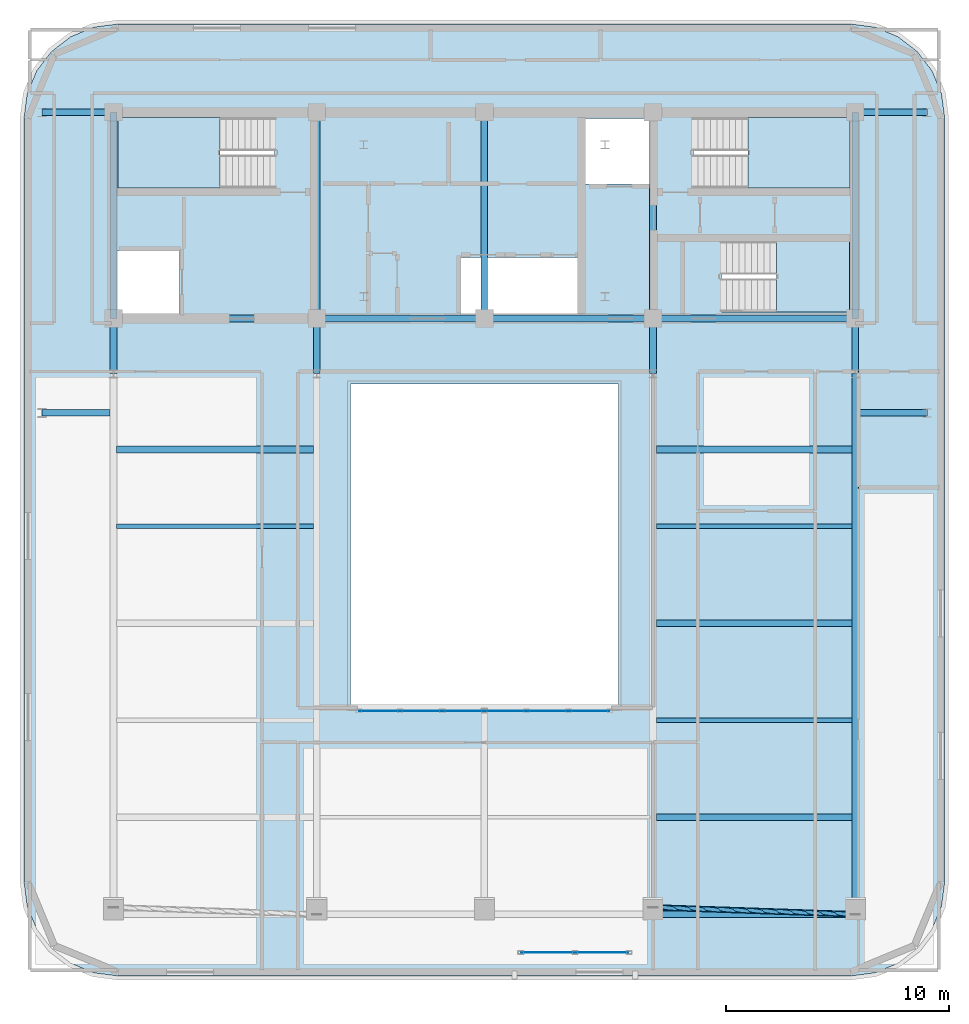
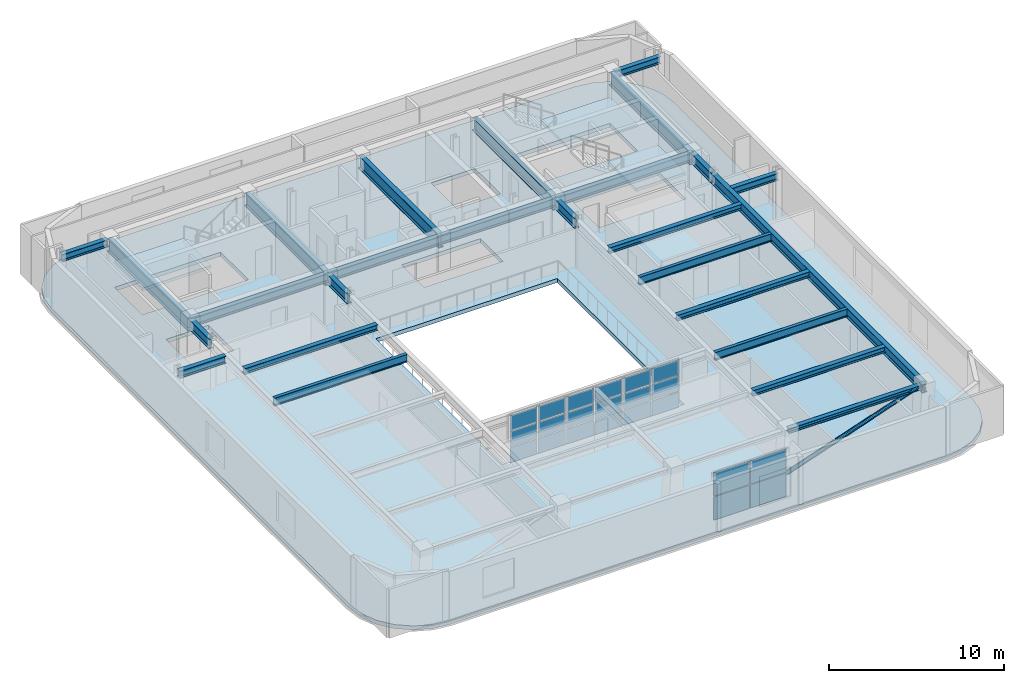
# One storey, part 4 of 12: 26 beams, 22 plates, 4 slabs, 1 member, 5 elements without a shape of their own.
"""IFC4 building model written with IfcOpenShell, lengths in metres."""

import ifcopenshell
import ifcopenshell.guid

model = None  # the IFC model being written
_history = None  # IfcOwnerHistory: only IFC2X3 demands one
_inside = {}  # id of a spatial element -> (the spatial element, [elements in it])
_under = {}  # id of a project, library or spatial element -> (it, [spatial elements below it])
_declared = {}  # id of a project -> (the project, [libraries it declares])
_typed = {}  # id of a type object -> (the type object, [elements of that type])
_made_of = {}  # id of a material, layer set ... -> (it, [elements and type objects made of it])


def new_model(schema):
    """Start an empty IFC model of exactly this schema.

    Asked for "IFC4X3", IfcOpenShell would pick the latest addendum, in which some entities
    have other attributes; the version numbers below select the first issue.
    IFC2X3 requires an IfcOwnerHistory on every rooted entity: one is made here for all.
    """
    global model, _history
    if schema == "IFC4X3":
        model = ifcopenshell.file(schema_version=(4, 3, 0, 0))
    else:
        model = ifcopenshell.file(schema=schema)
    _inside.clear()
    _under.clear()
    _declared.clear()
    _typed.clear()
    _made_of.clear()
    _history = None
    if model.schema == "IFC2X3":
        org = make("IfcOrganization", Name="unknown")
        user = make(
            "IfcPersonAndOrganization",
            ThePerson=make("IfcPerson", FamilyName="unknown"),
            TheOrganization=org,
        )
        app = make(
            "IfcApplication",
            ApplicationDeveloper=org,
            Version="unknown",
            ApplicationFullName="unknown",
            ApplicationIdentifier="unknown",
        )
        _history = make(
            "IfcOwnerHistory",
            OwningUser=user,
            OwningApplication=app,
            ChangeAction="ADDED",
            CreationDate=0,
        )
    return model


def make(cls, **values):
    """One entity of the class cls with the attributes given. An attribute that is None is left unset."""
    return model.create_entity(
        cls, **{name: value for name, value in values.items() if value is not None}
    )


def rooted(cls, **values):
    """An entity with a GlobalId (a new one), such as an element, a storey or a relation."""
    return make(cls, GlobalId=ifcopenshell.guid.new(), OwnerHistory=_history, **values)


def si_unit(unit_type, name, prefix=None):
    """IfcSIUnit, for example si_unit("LENGTHUNIT", "METRE", prefix="MILLI")."""
    return make("IfcSIUnit", UnitType=unit_type, Prefix=prefix, Name=name)


def assignment(units):
    """IfcUnitAssignment: the units of a project."""
    return None if units is None else make("IfcUnitAssignment", Units=units)


def point(xyz):
    """IfcCartesianPoint."""
    return None if xyz is None else make("IfcCartesianPoint", Coordinates=xyz)


def direction(xyz):
    """IfcDirection."""
    return None if xyz is None else make("IfcDirection", DirectionRatios=xyz)


def frame(location, z_axis=None, x_axis=None):
    """IfcAxis2Placement3D, a coordinate frame: its origin and axes. An axis left out is left unset."""
    return make(
        "IfcAxis2Placement3D",
        Location=point(location),
        Axis=direction(z_axis),
        RefDirection=direction(x_axis),
    )


def frame_2d(location, x_axis=None):
    """IfcAxis2Placement2D, a coordinate frame in the plane: its origin and x axis."""
    return make(
        "IfcAxis2Placement2D", Location=point(location), RefDirection=direction(x_axis)
    )


def origin():
    """The frame at (0, 0, 0) with its axes left unset."""
    return frame((0.0, 0.0, 0.0))


def origin_2d():
    """The frame at (0, 0) in the plane with its x axis left unset."""
    return frame_2d((0.0, 0.0))


def place(relative_to, where):
    """IfcLocalPlacement: puts the frame where relative to a parent placement (None: the world)."""
    return make(
        "IfcLocalPlacement", PlacementRelTo=relative_to, RelativePlacement=where
    )


def context(
    kind, dimensions, precision=None, world=None, true_north=None, identifier=None
):
    """IfcGeometricRepresentationContext, for example the 3D "Model" context."""
    return make(
        "IfcGeometricRepresentationContext",
        ContextIdentifier=identifier,
        ContextType=kind,
        CoordinateSpaceDimension=dimensions,
        Precision=precision,
        WorldCoordinateSystem=world,
        TrueNorth=true_north,
    )


def subcontext(parent, identifier, kind, view, scale=None):
    """IfcGeometricRepresentationSubContext, for example "Body" below "Model"."""
    return make(
        "IfcGeometricRepresentationSubContext",
        ContextIdentifier=identifier,
        ContextType=kind,
        ParentContext=parent,
        TargetScale=scale,
        TargetView=view,
    )


def project(units=None, contexts=None):
    """IfcProject with its units and contexts."""
    return rooted(
        "IfcProject",
        Name="project",
        RepresentationContexts=contexts,
        UnitsInContext=assignment(units),
    )


def spatial(cls, under=None, at=None, **own):
    """A site, building, storey or space (cls), placed at a placement, below another one or the project."""
    s = rooted(cls, ObjectPlacement=at, **own)
    if under is not None:
        _under.setdefault(under.id(), (under, []))[1].append(s)
    return s


def polyline(points):
    """IfcPolyline through the points."""
    return make("IfcPolyline", Points=[point(p) for p in points])


def profile(cls, at=None, kind="AREA", **sizes):
    """A parametric profile (cls). Its sizes go by their IFC names, for example OverallWidth=200.0."""
    return make(cls, ProfileType=kind, Position=at, **sizes)


def rectangle(**sizes):
    """IfcRectangleProfileDef."""
    return profile("IfcRectangleProfileDef", **sizes)


def hollow_circle(**sizes):
    """IfcCircleHollowProfileDef."""
    return profile("IfcCircleHollowProfileDef", **sizes)


def i_section(**sizes):
    """IfcIShapeProfileDef."""
    return profile("IfcIShapeProfileDef", **sizes)


def outline(outer, holes=None, kind="AREA"):
    """IfcArbitraryClosedProfileDef: a profile drawn as a closed curve; with holes, ...WithVoids."""
    if holes is None:
        return make("IfcArbitraryClosedProfileDef", ProfileType=kind, OuterCurve=outer)
    return make(
        "IfcArbitraryProfileDefWithVoids",
        ProfileType=kind,
        OuterCurve=outer,
        InnerCurves=holes,
    )


def extrude(swept, where, along, depth):
    """IfcExtrudedAreaSolid: the profile swept, set in the frame where, extruded along a direction by depth."""
    return make(
        "IfcExtrudedAreaSolid",
        SweptArea=swept,
        Position=where,
        ExtrudedDirection=direction(along),
        Depth=depth,
    )


def shape(context_of_items, identifier, shape_type, items):
    """IfcShapeRepresentation: the items that make up one representation, for example the "Body"."""
    return make(
        "IfcShapeRepresentation",
        ContextOfItems=context_of_items,
        RepresentationIdentifier=identifier,
        RepresentationType=shape_type,
        Items=items,
    )


def material(Name=None, Category=None):
    """IfcMaterial."""
    return make("IfcMaterial", Name=Name, Category=Category)


def layer(
    of_material, thickness, ventilated=None, Name=None, Category=None, Priority=None
):
    """IfcMaterialLayer: one layer of a wall or slab, of a material (None: an air gap)."""
    return make(
        "IfcMaterialLayer",
        Material=of_material,
        LayerThickness=thickness,
        IsVentilated=ventilated,
        Name=Name,
        Category=Category,
        Priority=Priority,
    )


def layer_set(layers, Name=None):
    """IfcMaterialLayerSet."""
    return make("IfcMaterialLayerSet", MaterialLayers=layers, LayerSetName=Name)


def material_profile(
    of_material, cross_section, Name=None, Category=None, Priority=None
):
    """IfcMaterialProfile: a cross section and its material."""
    return make(
        "IfcMaterialProfile",
        Name=Name,
        Material=of_material,
        Profile=cross_section,
        Priority=Priority,
        Category=Category,
    )


def profile_set(profiles, Name=None, composite=None):
    """IfcMaterialProfileSet."""
    return make(
        "IfcMaterialProfileSet",
        Name=Name,
        MaterialProfiles=profiles,
        CompositeProfile=composite,
    )


def made_of(thing, what):
    """Note that an element or type object is made of a material, layer set ...; save() writes the relation."""
    if what is not None:
        _made_of.setdefault(what.id(), (what, []))[1].append(thing)
    return thing


def type_object(cls, material=None, **own):
    """A type object (cls), such as IfcWallType, which elements share."""
    return made_of(rooted(cls, **own), material)


def element(
    cls,
    number,
    at=None,
    inside=None,
    cuts=None,
    type_object=None,
    material=None,
    context=None,
    identifier="Body",
    shape_type=None,
    held_by="IfcProductDefinitionShape",
    body=None,
    shapes=None,
    **own,
):
    """One element of the class cls, such as IfcWall. Its Tag is "e" and its number.

    at: its placement. inside: the storey or other place that contains it. cuts: it is an
    opening in that element (IfcRelVoidsElement). A single representation is given by context,
    identifier, shape_type and body (its items); several are given by shapes. held_by: the class
    of the entity that holds the representations. save() writes the other relations.
    """
    e = rooted(cls, Tag="e%d" % number, ObjectPlacement=at, **own)
    if body is not None:
        shapes = [shape(context, identifier, shape_type, body)]
    if shapes is not None:
        e.Representation = make(held_by, Representations=shapes)
    if inside is not None:
        _inside.setdefault(inside.id(), (inside, []))[1].append(e)
    if cuts is not None:
        rooted(
            "IfcRelVoidsElement", RelatingBuildingElement=cuts, RelatedOpeningElement=e
        )
    if type_object is not None:
        _typed.setdefault(type_object.id(), (type_object, []))[1].append(e)
    return made_of(e, material)


def aggregate(whole, parts):
    """IfcRelAggregates: a whole, such as a stair, and the parts it consists of."""
    return rooted("IfcRelAggregates", RelatingObject=whole, RelatedObjects=parts)


def save(model, path):
    """Write the relations noted so far, then the file.

    IfcRelAggregates (storeys below a building ...), IfcRelContainedInSpatialStructure (elements
    in a storey), IfcRelDefinesByType, IfcRelAssociatesMaterial and IfcRelDeclares: one each for
    every whole, place, type object, material and project.
    """
    for whole, parts in _under.values():
        aggregate(whole, parts)
    for where, things in _inside.values():
        rooted(
            "IfcRelContainedInSpatialStructure",
            RelatedElements=things,
            RelatingStructure=where,
        )
    for kind, things in _typed.values():
        rooted("IfcRelDefinesByType", RelatedObjects=things, RelatingType=kind)
    for what, things in _made_of.values():
        rooted("IfcRelAssociatesMaterial", RelatedObjects=things, RelatingMaterial=what)
    for by, libraries in _declared.values():
        rooted("IfcRelDeclares", RelatingContext=by, RelatedDefinitions=libraries)
    model.write(path)


model = new_model("IFC4")

# Units and contexts
model_context = context("Model", 3, precision=1e-05, world=origin(), true_north=direction((0.0, 1.0)))
body_context = subcontext(model_context, "Body", "Model", "MODEL_VIEW")
ifc_project = project(units=[si_unit("LENGTHUNIT", "METRE"), si_unit("AREAUNIT", "SQUARE_METRE"), si_unit("VOLUMEUNIT", "CUBIC_METRE"), si_unit("PLANEANGLEUNIT", "RADIAN"), si_unit("MASSUNIT", "GRAM", prefix="KILO")], contexts=[model_context])

# Site, building, storey
site_placement = place(None, origin())
site = spatial("IfcSite", under=ifc_project, at=site_placement, CompositionType="ELEMENT")
building_placement = place(site_placement, origin())
building = spatial("IfcBuilding", under=site, at=building_placement, Name="Zarnavel Station Tower", CompositionType="ELEMENT")
storey_placement = place(building_placement, frame((0.0, 0.0, 273.199951171875)))
storey = spatial("IfcBuildingStorey", under=building, at=storey_placement, Name="L74", CompositionType="ELEMENT", Elevation=273.199951171875)

# Member
ifc_material_1 = material(Name="Steel S355J2", Category="steel")
ifc_material_profile_1 = material_profile(ifc_material_1, hollow_circle(Radius=0.122314453125, WallThickness=0.010009765625, at=origin_2d()), Name="CHS244.5x10")
ifc_profile_set_1 = profile_set([ifc_material_profile_1], Name="Steel S355J2")
member_type = type_object("IfcMemberType", Name="DB_EXT_CHS245", PredefinedType="BRACE", material=ifc_profile_set_1)
member_placement = place(storey_placement, frame((36.35009765625, 1.470703125, 0.0), z_axis=(0.934945887527, -0.032032515301, 0.353341343972), x_axis=(0.034241266505, 0.999413595899, 0.0)))
element("IfcMember", 1, at=member_placement, inside=storey, type_object=member_type, Name="L74 Persian Exterior Diagonal Frame Brace 2", PredefinedType="BRACE", context=body_context, shape_type="SweptSolid", body=[
    extrude(hollow_circle(Radius=0.122314453125, WallThickness=0.010009765625, at=origin_2d()), origin(), (0.0, 0.0, 1.0), 9.679443359375),
])

# Beams
ifc_material_2 = material(Name="Steel S355J2", Category="steel")
ifc_material_profile_2 = material_profile(ifc_material_2, i_section(OverallWidth=0.300048828125, OverallDepth=0.320068359375, WebThickness=0.011474609375, FlangeThickness=0.0205078125, FilletRadius=0.027099609375, at=origin_2d()), Name="HEB320")
ifc_profile_set_2 = profile_set([ifc_material_profile_2], Name="Steel S355J2")
beam_type_1 = type_object("IfcBeamType", Name="EB_HEB320", PredefinedType="SPANDREL", material=ifc_profile_set_2)
beam_1_placement = place(storey_placement, frame((36.35009765625, 1.16064453125, 3.260009765625), z_axis=(1.0, 0.0, 0.0), x_axis=(0.0, 1.0, 0.0)))
element("IfcBeam", 2, at=beam_1_placement, inside=storey, type_object=beam_type_1, Name="L74 South Raked Spandrel 4", PredefinedType="SPANDREL", context=body_context, shape_type="SweptSolid", body=[
    extrude(i_section(OverallWidth=0.300048828125, OverallDepth=0.320068359375, WebThickness=0.011474609375, FlangeThickness=0.0205078125, FilletRadius=0.027099609375, at=origin_2d()), origin(), (0.0, 0.0, 1.0), 9.0498046875),
])
ifc_material_3 = material(Name="Steel S355J2", Category="steel")
ifc_material_profile_3 = material_profile(ifc_material_3, i_section(OverallWidth=0.300048828125, OverallDepth=0.389892578125, WebThickness=0.010986328125, FlangeThickness=0.01904296875, FilletRadius=0.027099609375, at=origin_2d()), Name="HEA400")
ifc_profile_set_3 = profile_set([ifc_material_profile_3], Name="Steel S355J2")
beam_type_2 = type_object("IfcBeamType", Name="FB_HEA400", PredefinedType="BEAM", material=ifc_profile_set_3)
for number, where, z_axis, x_axis, name in (
    (3, (36.4951171875, 5.50048828125, 3.22509765625), (1.0, 0.0, 0.0), (0.0, 1.0, 0.0), "L74 East Bay Beam 1"),
    (4, (36.4951171875, 14.180419921875, 3.22509765625), (1.0, 0.0, 0.0), (0.0, 1.0, 0.0), "L74 East Bay Beam 3"),
):
    element("IfcBeam", number, at=place(storey_placement, frame(where, z_axis=z_axis, x_axis=x_axis)), inside=storey, type_object=beam_type_2, Name=name, PredefinedType="BEAM", context=body_context, shape_type="SweptSolid", body=[
        extrude(i_section(OverallWidth=0.300048828125, OverallDepth=0.389892578125, WebThickness=0.010986328125, FlangeThickness=0.01904296875, FilletRadius=0.027099609375, at=origin_2d()), origin(), (0.0, 0.0, 1.0), 8.759765625),
    ])
beam_2_placement = place(storey_placement, frame((12.344970703125, 21.960205078125, 3.22509765625), z_axis=(1.0, 0.0, 0.0), x_axis=(0.0, 1.0, 0.0)))
element("IfcBeam", 5, at=beam_2_placement, inside=storey, type_object=beam_type_2, Name="L74 West Bay Beam 5", PredefinedType="BEAM", context=body_context, shape_type="SweptSolid", body=[
    extrude(i_section(OverallWidth=0.300048828125, OverallDepth=0.389892578125, WebThickness=0.010986328125, FlangeThickness=0.01904296875, FilletRadius=0.027099609375, at=origin_2d()), origin(), (0.0, 0.0, 1.0), 8.81005859375),
])
beam_3_placement = place(storey_placement, frame((36.4951171875, 21.960205078125, 3.22509765625), z_axis=(1.0, 0.0, 0.0), x_axis=(0.0, 1.0, 0.0)))
element("IfcBeam", 6, at=beam_3_placement, inside=storey, type_object=beam_type_2, Name="L74 East Bay Beam 5", PredefinedType="BEAM", context=body_context, shape_type="SweptSolid", body=[
    extrude(i_section(OverallWidth=0.300048828125, OverallDepth=0.389892578125, WebThickness=0.010986328125, FlangeThickness=0.01904296875, FilletRadius=0.027099609375, at=origin_2d()), origin(), (0.0, 0.0, 1.0), 8.759765625),
])
ifc_material_4 = material(Name="Steel S355J2", Category="steel")
ifc_material_profile_4 = material_profile(ifc_material_4, i_section(OverallWidth=0.2099609375, OverallDepth=0.550048828125, WebThickness=0.010986328125, FlangeThickness=0.01708984375, FilletRadius=0.02392578125, at=origin_2d()), Name="IPE550")
ifc_profile_set_4 = profile_set([ifc_material_profile_4], Name="Steel S355J2")
beam_type_3 = type_object("IfcBeamType", Name="FB_IPE550", PredefinedType="BEAM", material=ifc_profile_set_4)
beam_4_placement = place(storey_placement, frame((36.4951171875, 9.840576171875, 3.14501953125), z_axis=(1.0, 0.0, 0.0), x_axis=(0.0, 1.0, 0.0)))
element("IfcBeam", 7, at=beam_4_placement, inside=storey, type_object=beam_type_3, Name="L74 East Bay Beam 2", PredefinedType="BEAM", context=body_context, shape_type="SweptSolid", body=[
    extrude(i_section(OverallWidth=0.2099609375, OverallDepth=0.550048828125, WebThickness=0.010986328125, FlangeThickness=0.01708984375, FilletRadius=0.02392578125, at=origin_2d()), origin(), (0.0, 0.0, 1.0), 8.759765625),
])
beam_5_placement = place(storey_placement, frame((12.344970703125, 18.520263671875, 3.14501953125), z_axis=(1.0, 0.0, 0.0), x_axis=(0.0, 1.0, 0.0)))
element("IfcBeam", 8, at=beam_5_placement, inside=storey, type_object=beam_type_3, Name="L74 West Bay Beam 4", PredefinedType="BEAM", context=body_context, shape_type="SweptSolid", body=[
    extrude(i_section(OverallWidth=0.2099609375, OverallDepth=0.550048828125, WebThickness=0.010986328125, FlangeThickness=0.01708984375, FilletRadius=0.02392578125, at=origin_2d()), origin(), (0.0, 0.0, 1.0), 8.81005859375),
])
beam_6_placement = place(storey_placement, frame((36.4951171875, 18.520263671875, 3.14501953125), z_axis=(1.0, 0.0, 0.0), x_axis=(0.0, 1.0, 0.0)))
element("IfcBeam", 9, at=beam_6_placement, inside=storey, type_object=beam_type_3, Name="L74 East Bay Beam 4", PredefinedType="BEAM", context=body_context, shape_type="SweptSolid", body=[
    extrude(i_section(OverallWidth=0.2099609375, OverallDepth=0.550048828125, WebThickness=0.010986328125, FlangeThickness=0.01708984375, FilletRadius=0.02392578125, at=origin_2d()), origin(), (0.0, 0.0, 1.0), 8.759765625),
])
ifc_material_5 = material(Name="Steel S355J2", Category="steel")
ifc_material_profile_5 = material_profile(ifc_material_5, i_section(OverallWidth=0.300048828125, OverallDepth=0.5, WebThickness=0.014404296875, FlangeThickness=0.028076171875, FilletRadius=0.027099609375, at=origin_2d()), Name="HEB500")
ifc_profile_set_5 = profile_set([ifc_material_profile_5], Name="Steel S355J2")
beam_type_4 = type_object("IfcBeamType", Name="FG_HEB500", PredefinedType="USERDEFINED", material=ifc_profile_set_5)
for number, where, z_axis, x_axis, name in (
    (10, (9.0, 23.60009765625, 3.170166015625), (1.0, 0.0, 0.0), (0.0, 1.0, 0.0), "L74 West Wing South Tie 1"),
    (11, (9.0, 37.050048828125, 3.170166015625), (1.0, 0.0, 0.0), (0.0, 1.0, 0.0), "L74 West Wing North Tie 1"),
):
    element("IfcBeam", number, at=place(storey_placement, frame(where, z_axis=z_axis, x_axis=x_axis)), inside=storey, type_object=beam_type_4, Name=name, ObjectType="GIRDER", PredefinedType="USERDEFINED", context=body_context, shape_type="SweptSolid", body=[
        extrude(i_section(OverallWidth=0.300048828125, OverallDepth=0.5, WebThickness=0.014404296875, FlangeThickness=0.028076171875, FilletRadius=0.027099609375, at=origin_2d()), origin(), (0.0, 0.0, 1.0), 3.054931640625),
    ])
for number, where, z_axis, x_axis, name in (
    (12, (45.544921875, 23.60009765625, 3.170166015625), (1.0, 0.0, 0.0), (0.0, 1.0, 0.0), "L74 East Wing South Tie 1"),
    (13, (45.544921875, 37.050048828125, 3.170166015625), (1.0, 0.0, 0.0), (0.0, 1.0, 0.0), "L74 East Wing North Tie 1"),
):
    element("IfcBeam", number, at=place(storey_placement, frame(where, z_axis=z_axis, x_axis=x_axis)), inside=storey, type_object=beam_type_4, Name=name, ObjectType="GIRDER", PredefinedType="USERDEFINED", context=body_context, shape_type="SweptSolid", body=[
        extrude(i_section(OverallWidth=0.300048828125, OverallDepth=0.5, WebThickness=0.014404296875, FlangeThickness=0.028076171875, FilletRadius=0.027099609375, at=origin_2d()), origin(), (0.0, 0.0, 1.0), 3.05517578125),
    ])
ifc_material_6 = material(Name="Steel S355J2", Category="steel")
ifc_material_profile_6 = material_profile(ifc_material_6, i_section(OverallWidth=0.300048828125, OverallDepth=0.60009765625, WebThickness=0.015380859375, FlangeThickness=0.030029296875, FilletRadius=0.027099609375, at=origin_2d()), Name="HEB600")
ifc_profile_set_6 = profile_set([ifc_material_profile_6], Name="Steel S355J2")
beam_type_5 = type_object("IfcBeamType", Name="FG_HEB600", PredefinedType="USERDEFINED", material=ifc_profile_set_6)
beam_7_placement = place(storey_placement, frame((12.199951171875, 27.820068359375, 3.1201171875), z_axis=(1.0, 0.0, 0.0), x_axis=(0.0, 1.0, 0.0)))
element("IfcBeam", 14, at=beam_7_placement, inside=storey, type_object=beam_type_5, Name="L74 Core Front Coupling Beam 1", ObjectType="GIRDER", PredefinedType="USERDEFINED", context=body_context, shape_type="SweptSolid", body=[
    extrude(i_section(OverallWidth=0.300048828125, OverallDepth=0.60009765625, WebThickness=0.015380859375, FlangeThickness=0.030029296875, FilletRadius=0.027099609375, at=origin_2d()), origin(), (0.0, 0.0, 1.0), 9.10009765625),
])
beam_8_placement = place(storey_placement, frame((21.300048828125, 27.820068359375, 3.1201171875), z_axis=(1.0, 0.0, 0.0), x_axis=(0.0, 1.0, 0.0)))
element("IfcBeam", 15, at=beam_8_placement, inside=storey, type_object=beam_type_5, Name="L74 Core Front Coupling Beam 2", ObjectType="GIRDER", PredefinedType="USERDEFINED", context=body_context, shape_type="SweptSolid", body=[
    extrude(i_section(OverallWidth=0.300048828125, OverallDepth=0.60009765625, WebThickness=0.015380859375, FlangeThickness=0.030029296875, FilletRadius=0.027099609375, at=origin_2d()), origin(), (0.0, 0.0, 1.0), 7.5),
])
beam_9_placement = place(storey_placement, frame((28.800048828125, 27.820068359375, 3.1201171875), z_axis=(1.0, 0.0, 0.0), x_axis=(0.0, 1.0, 0.0)))
element("IfcBeam", 16, at=beam_9_placement, inside=storey, type_object=beam_type_5, Name="L74 Core Front Coupling Beam 3", ObjectType="GIRDER", PredefinedType="USERDEFINED", context=body_context, shape_type="SweptSolid", body=[
    extrude(i_section(OverallWidth=0.300048828125, OverallDepth=0.60009765625, WebThickness=0.015380859375, FlangeThickness=0.030029296875, FilletRadius=0.027099609375, at=origin_2d()), origin(), (0.0, 0.0, 1.0), 7.550048828125),
])
beam_10_placement = place(storey_placement, frame((36.35009765625, 27.820068359375, 3.1201171875), z_axis=(1.0, 0.0, 0.0), x_axis=(0.0, 1.0, 0.0)))
element("IfcBeam", 17, at=beam_10_placement, inside=storey, type_object=beam_type_5, Name="L74 Core Front Coupling Beam 4", ObjectType="GIRDER", PredefinedType="USERDEFINED", context=body_context, shape_type="SweptSolid", body=[
    extrude(i_section(OverallWidth=0.300048828125, OverallDepth=0.60009765625, WebThickness=0.015380859375, FlangeThickness=0.030029296875, FilletRadius=0.027099609375, at=origin_2d()), origin(), (0.0, 0.0, 1.0), 9.0498046875),
])
ifc_material_7 = material(Name="Steel S355J2", Category="steel")
ifc_material_profile_7 = material_profile(ifc_material_7, i_section(OverallWidth=0.300048828125, OverallDepth=0.699951171875, WebThickness=0.01708984375, FlangeThickness=0.031982421875, FilletRadius=0.027099609375, at=origin_2d()), Name="HEB700")
ifc_profile_set_7 = profile_set([ifc_material_profile_7], Name="Steel S355J2")
beam_type_6 = type_object("IfcBeamType", Name="FG_HEB700", PredefinedType="USERDEFINED", material=ifc_profile_set_7)
for number, where, z_axis, x_axis, name in (
    (18, (12.199951171875, 25.35009765625, 3.070068359375), (0.0, 1.0, 0.0), (-1.0, 0.0, 0.0), "L74 Inner-Zone NS Girder 1"),
    (19, (21.300048828125, 25.35009765625, 3.070068359375), (0.0, 1.0, 0.0), (-1.0, 0.0, 0.0), "L74 Inner-Zone NS Girder 2"),
    (20, (36.35009765625, 25.35009765625, 3.070068359375), (0.0, 1.0, 0.0), (-1.0, 0.0, 0.0), "L74 Inner-Zone NS Girder 4"),
):
    element("IfcBeam", number, at=place(storey_placement, frame(where, z_axis=z_axis, x_axis=x_axis)), inside=storey, type_object=beam_type_6, Name=name, ObjectType="GIRDER", PredefinedType="USERDEFINED", context=body_context, shape_type="SweptSolid", body=[
        extrude(i_section(OverallWidth=0.300048828125, OverallDepth=0.699951171875, WebThickness=0.01708984375, FlangeThickness=0.031982421875, FilletRadius=0.027099609375, at=origin_2d()), origin(), (0.0, 0.0, 1.0), 2.469970703125),
    ])
beam_11_placement = place(storey_placement, frame((45.39990234375, 1.16064453125, 3.070068359375), z_axis=(0.0, 1.0, 0.0), x_axis=(-1.0, 0.0, 0.0)))
element("IfcBeam", 21, at=beam_11_placement, inside=storey, type_object=beam_type_6, Name="L74 South-Zone NS Girder 5", ObjectType="GIRDER", PredefinedType="USERDEFINED", context=body_context, shape_type="SweptSolid", body=[
    extrude(i_section(OverallWidth=0.300048828125, OverallDepth=0.699951171875, WebThickness=0.01708984375, FlangeThickness=0.031982421875, FilletRadius=0.027099609375, at=origin_2d()), origin(), (0.0, 0.0, 1.0), 24.189453125),
])
beam_12_placement = place(storey_placement, frame((45.39990234375, 25.35009765625, 3.070068359375), z_axis=(0.0, 1.0, 0.0), x_axis=(-1.0, 0.0, 0.0)))
element("IfcBeam", 22, at=beam_12_placement, inside=storey, type_object=beam_type_6, Name="L74 Inner-Zone NS Girder 5", ObjectType="GIRDER", PredefinedType="USERDEFINED", context=body_context, shape_type="SweptSolid", body=[
    extrude(i_section(OverallWidth=0.300048828125, OverallDepth=0.699951171875, WebThickness=0.01708984375, FlangeThickness=0.031982421875, FilletRadius=0.027099609375, at=origin_2d()), origin(), (0.0, 0.0, 1.0), 2.469970703125),
])
ifc_material_8 = material(Name="Steel S460M", Category="steel")
ifc_material_profile_8 = material_profile(ifc_material_8, i_section(OverallWidth=0.302001953125, OverallDepth=0.909912109375, WebThickness=0.02099609375, FlangeThickness=0.0400390625, FilletRadius=0.030029296875, at=origin_2d()), Name="HEM900")
ifc_profile_set_8 = profile_set([ifc_material_profile_8], Name="Steel S460M")
beam_type_7 = type_object("IfcBeamType", Name="TG_HEM900", PredefinedType="USERDEFINED", material=ifc_profile_set_8)
for number, where, z_axis, x_axis, name in (
    (23, (12.199951171875, 27.820068359375, 2.965087890625), (0.0, 1.0, 0.0), (-1.0, 0.0, 0.0), "L74 Core Spine Coupling Girder 1"),
    (24, (21.300048828125, 27.820068359375, 2.965087890625), (0.0, 1.0, 0.0), (-1.0, 0.0, 0.0), "L74 Core Spine Coupling Girder 2"),
    (25, (28.800048828125, 27.820068359375, 2.965087890625), (0.0, 1.0, 0.0), (-1.0, 0.0, 0.0), "L74 Core Spine Coupling Girder 3"),
    (26, (36.35009765625, 27.820068359375, 2.965087890625), (0.0, 1.0, 0.0), (-1.0, 0.0, 0.0), "L74 Core Spine Coupling Girder 4"),
    (27, (45.39990234375, 27.820068359375, 2.965087890625), (0.0, 1.0, 0.0), (-1.0, 0.0, 0.0), "L74 Core Spine Coupling Girder 5"),
):
    element("IfcBeam", number, at=place(storey_placement, frame(where, z_axis=z_axis, x_axis=x_axis)), inside=storey, type_object=beam_type_7, Name=name, ObjectType="GIRDER", PredefinedType="USERDEFINED", context=body_context, shape_type="SweptSolid", body=[
        extrude(i_section(OverallWidth=0.302001953125, OverallDepth=0.909912109375, WebThickness=0.02099609375, FlangeThickness=0.0400390625, FilletRadius=0.030029296875, at=origin_2d()), origin(), (0.0, 0.0, 1.0), 9.22998046875),
    ])

# Curtain wall, plates
ifc_material_9 = material(Name="Aluminium Dark Anodised and Solar-Control Glass", Category="aluminium")
ifc_layer_1 = layer(ifc_material_9, 0.179931640625)
ifc_layer_set_1 = layer_set([ifc_layer_1], Name="CWS6")
curtain_wall_type = type_object("IfcCurtainWallType", Name="CWS6", PredefinedType="NOTDEFINED", material=ifc_layer_set_1)
curtain_wall_1_placement = place(storey_placement, origin())
curtain_wall_1 = element("IfcCurtainWall", 28, at=curtain_wall_1_placement, inside=storey, type_object=curtain_wall_type, Name="L74 Curtain Wall CWS6-LOG-L74", PredefinedType="NOTDEFINED")
ifc_material_10 = material(Name="Double Low-E Dark Solar-Control Glass", Category="glass")
ifc_layer_2 = layer(ifc_material_10, 0.0380859375)
ifc_layer_set_2 = layer_set([ifc_layer_2], Name="CWS6_PNL")
plate_type = type_object("IfcPlateType", Name="CWS6_PNL", PredefinedType="CURTAIN_PANEL", material=ifc_layer_set_2)
plate_1_placement = place(storey_placement, frame((31.639892578125, -0.550048828125, 0.06005859375), z_axis=(0.0, 0.0, 1.0), x_axis=(1.0, 0.0, 0.0)))
plate_1 = element("IfcPlate", 29, at=plate_1_placement, type_object=plate_type, Name="CW6 panel 1.1", PredefinedType="CURTAIN_PANEL", context=body_context, shape_type="SweptSolid", body=[
    extrude(rectangle(XDim=2.360107421875, YDim=0.028076171875, at=origin_2d()), origin(), (0.0, 0.0, 1.0), 1.6201171875),
])
plate_2_placement = place(storey_placement, frame((31.639892578125, -0.550048828125, 1.739990234375), z_axis=(0.0, 0.0, 1.0), x_axis=(1.0, 0.0, 0.0)))
plate_2 = element("IfcPlate", 30, at=plate_2_placement, type_object=plate_type, Name="CW6 panel 1.2", PredefinedType="CURTAIN_PANEL", context=body_context, shape_type="SweptSolid", body=[
    extrude(rectangle(XDim=2.360107421875, YDim=0.028076171875, at=origin_2d()), origin(), (0.0, 0.0, 1.0), 1.6201171875),
])
plate_3_placement = place(storey_placement, frame((34.06005859375, -0.550048828125, 0.06005859375), z_axis=(0.0, 0.0, 1.0), x_axis=(1.0, 0.0, 0.0)))
plate_3 = element("IfcPlate", 31, at=plate_3_placement, type_object=plate_type, Name="CW6 panel 2.1", PredefinedType="CURTAIN_PANEL", context=body_context, shape_type="SweptSolid", body=[
    extrude(rectangle(XDim=2.360107421875, YDim=0.028076171875, at=origin_2d()), origin(), (0.0, 0.0, 1.0), 1.6201171875),
])
plate_4_placement = place(storey_placement, frame((34.06005859375, -0.550048828125, 1.739990234375), z_axis=(0.0, 0.0, 1.0), x_axis=(1.0, 0.0, 0.0)))
plate_4 = element("IfcPlate", 32, at=plate_4_placement, type_object=plate_type, Name="CW6 panel 2.2", PredefinedType="CURTAIN_PANEL", context=body_context, shape_type="SweptSolid", body=[
    extrude(rectangle(XDim=2.360107421875, YDim=0.028076171875, at=origin_2d()), origin(), (0.0, 0.0, 1.0), 1.6201171875),
])
aggregate(curtain_wall_1, [plate_1, plate_2, plate_3, plate_4])

curtain_wall_2_placement = place(storey_placement, origin())
curtain_wall_2 = element("IfcCurtainWall", 33, at=curtain_wall_2_placement, inside=storey, type_object=curtain_wall_type, Name="L74 Curtain Wall CWS6-L74-AS", PredefinedType="NOTDEFINED")
plate_5_placement = place(storey_placement, frame((24.106689453125, 10.25, 0.06005859375), z_axis=(0.0, 0.0, 1.0), x_axis=(1.0, 0.0, 0.0)))
plate_5 = element("IfcPlate", 34, at=plate_5_placement, type_object=plate_type, Name="CW6 panel 1.1", PredefinedType="CURTAIN_PANEL", context=body_context, shape_type="SweptSolid", body=[
    extrude(rectangle(XDim=1.793212890625, YDim=0.028076171875, at=origin_2d()), origin(), (0.0, 0.0, 1.0), 1.050048828125),
])
plate_6_placement = place(storey_placement, frame((24.106689453125, 10.25, 1.169921875), z_axis=(0.0, 0.0, 1.0), x_axis=(1.0, 0.0, 0.0)))
plate_6 = element("IfcPlate", 35, at=plate_6_placement, type_object=plate_type, Name="CW6 panel 1.2", PredefinedType="CURTAIN_PANEL", context=body_context, shape_type="SweptSolid", body=[
    extrude(rectangle(XDim=1.793212890625, YDim=0.028076171875, at=origin_2d()), origin(), (0.0, 0.0, 1.0), 1.080078125),
])
plate_7_placement = place(storey_placement, frame((24.106689453125, 10.25, 2.31005859375), z_axis=(0.0, 0.0, 1.0), x_axis=(1.0, 0.0, 0.0)))
plate_7 = element("IfcPlate", 36, at=plate_7_placement, type_object=plate_type, Name="CW6 panel 1.3", PredefinedType="CURTAIN_PANEL", context=body_context, shape_type="SweptSolid", body=[
    extrude(rectangle(XDim=1.793212890625, YDim=0.028076171875, at=origin_2d()), origin(), (0.0, 0.0, 1.0), 1.050048828125),
])
plate_8_placement = place(storey_placement, frame((25.97509765625, 10.25, 0.06005859375), z_axis=(0.0, 0.0, 1.0), x_axis=(1.0, 0.0, 0.0)))
plate_8 = element("IfcPlate", 37, at=plate_8_placement, type_object=plate_type, Name="CW6 panel 2.1", PredefinedType="CURTAIN_PANEL", context=body_context, shape_type="SweptSolid", body=[
    extrude(rectangle(XDim=1.8232421875, YDim=0.028076171875, at=origin_2d()), origin(), (0.0, 0.0, 1.0), 1.050048828125),
])
plate_9_placement = place(storey_placement, frame((25.97509765625, 10.25, 1.169921875), z_axis=(0.0, 0.0, 1.0), x_axis=(1.0, 0.0, 0.0)))
plate_9 = element("IfcPlate", 38, at=plate_9_placement, type_object=plate_type, Name="CW6 panel 2.2", PredefinedType="CURTAIN_PANEL", context=body_context, shape_type="SweptSolid", body=[
    extrude(rectangle(XDim=1.8232421875, YDim=0.028076171875, at=origin_2d()), origin(), (0.0, 0.0, 1.0), 1.080078125),
])
plate_10_placement = place(storey_placement, frame((25.97509765625, 10.25, 2.31005859375), z_axis=(0.0, 0.0, 1.0), x_axis=(1.0, 0.0, 0.0)))
plate_10 = element("IfcPlate", 39, at=plate_10_placement, type_object=plate_type, Name="CW6 panel 2.3", PredefinedType="CURTAIN_PANEL", context=body_context, shape_type="SweptSolid", body=[
    extrude(rectangle(XDim=1.8232421875, YDim=0.028076171875, at=origin_2d()), origin(), (0.0, 0.0, 1.0), 1.050048828125),
])
plate_11_placement = place(storey_placement, frame((27.8583984375, 10.25, 0.06005859375), z_axis=(0.0, 0.0, 1.0), x_axis=(1.0, 0.0, 0.0)))
plate_11 = element("IfcPlate", 40, at=plate_11_placement, type_object=plate_type, Name="CW6 panel 3.1", PredefinedType="CURTAIN_PANEL", context=body_context, shape_type="SweptSolid", body=[
    extrude(rectangle(XDim=1.8232421875, YDim=0.028076171875, at=origin_2d()), origin(), (0.0, 0.0, 1.0), 1.050048828125),
])
plate_12_placement = place(storey_placement, frame((27.8583984375, 10.25, 1.169921875), z_axis=(0.0, 0.0, 1.0), x_axis=(1.0, 0.0, 0.0)))
plate_12 = element("IfcPlate", 41, at=plate_12_placement, type_object=plate_type, Name="CW6 panel 3.2", PredefinedType="CURTAIN_PANEL", context=body_context, shape_type="SweptSolid", body=[
    extrude(rectangle(XDim=1.8232421875, YDim=0.028076171875, at=origin_2d()), origin(), (0.0, 0.0, 1.0), 1.080078125),
])
plate_13_placement = place(storey_placement, frame((27.8583984375, 10.25, 2.31005859375), z_axis=(0.0, 0.0, 1.0), x_axis=(1.0, 0.0, 0.0)))
plate_13 = element("IfcPlate", 42, at=plate_13_placement, type_object=plate_type, Name="CW6 panel 3.3", PredefinedType="CURTAIN_PANEL", context=body_context, shape_type="SweptSolid", body=[
    extrude(rectangle(XDim=1.8232421875, YDim=0.028076171875, at=origin_2d()), origin(), (0.0, 0.0, 1.0), 1.050048828125),
])
plate_14_placement = place(storey_placement, frame((29.74169921875, 10.25, 0.06005859375), z_axis=(0.0, 0.0, 1.0), x_axis=(1.0, 0.0, 0.0)))
plate_14 = element("IfcPlate", 43, at=plate_14_placement, type_object=plate_type, Name="CW6 panel 4.1", PredefinedType="CURTAIN_PANEL", context=body_context, shape_type="SweptSolid", body=[
    extrude(rectangle(XDim=1.8232421875, YDim=0.028076171875, at=origin_2d()), origin(), (0.0, 0.0, 1.0), 1.050048828125),
])
plate_15_placement = place(storey_placement, frame((29.74169921875, 10.25, 1.169921875), z_axis=(0.0, 0.0, 1.0), x_axis=(1.0, 0.0, 0.0)))
plate_15 = element("IfcPlate", 44, at=plate_15_placement, type_object=plate_type, Name="CW6 panel 4.2", PredefinedType="CURTAIN_PANEL", context=body_context, shape_type="SweptSolid", body=[
    extrude(rectangle(XDim=1.8232421875, YDim=0.028076171875, at=origin_2d()), origin(), (0.0, 0.0, 1.0), 1.080078125),
])
plate_16_placement = place(storey_placement, frame((29.74169921875, 10.25, 2.31005859375), z_axis=(0.0, 0.0, 1.0), x_axis=(1.0, 0.0, 0.0)))
plate_16 = element("IfcPlate", 45, at=plate_16_placement, type_object=plate_type, Name="CW6 panel 4.3", PredefinedType="CURTAIN_PANEL", context=body_context, shape_type="SweptSolid", body=[
    extrude(rectangle(XDim=1.8232421875, YDim=0.028076171875, at=origin_2d()), origin(), (0.0, 0.0, 1.0), 1.050048828125),
])
plate_17_placement = place(storey_placement, frame((31.625, 10.25, 0.06005859375), z_axis=(0.0, 0.0, 1.0), x_axis=(1.0, 0.0, 0.0)))
plate_17 = element("IfcPlate", 46, at=plate_17_placement, type_object=plate_type, Name="CW6 panel 5.1", PredefinedType="CURTAIN_PANEL", context=body_context, shape_type="SweptSolid", body=[
    extrude(rectangle(XDim=1.8232421875, YDim=0.028076171875, at=origin_2d()), origin(), (0.0, 0.0, 1.0), 1.050048828125),
])
plate_18_placement = place(storey_placement, frame((31.625, 10.25, 1.169921875), z_axis=(0.0, 0.0, 1.0), x_axis=(1.0, 0.0, 0.0)))
plate_18 = element("IfcPlate", 47, at=plate_18_placement, type_object=plate_type, Name="CW6 panel 5.2", PredefinedType="CURTAIN_PANEL", context=body_context, shape_type="SweptSolid", body=[
    extrude(rectangle(XDim=1.8232421875, YDim=0.028076171875, at=origin_2d()), origin(), (0.0, 0.0, 1.0), 1.080078125),
])
plate_19_placement = place(storey_placement, frame((31.625, 10.25, 2.31005859375), z_axis=(0.0, 0.0, 1.0), x_axis=(1.0, 0.0, 0.0)))
plate_19 = element("IfcPlate", 48, at=plate_19_placement, type_object=plate_type, Name="CW6 panel 5.3", PredefinedType="CURTAIN_PANEL", context=body_context, shape_type="SweptSolid", body=[
    extrude(rectangle(XDim=1.8232421875, YDim=0.028076171875, at=origin_2d()), origin(), (0.0, 0.0, 1.0), 1.050048828125),
])
plate_20_placement = place(storey_placement, frame((33.493408203125, 10.25, 0.06005859375), z_axis=(0.0, 0.0, 1.0), x_axis=(1.0, 0.0, 0.0)))
plate_20 = element("IfcPlate", 49, at=plate_20_placement, type_object=plate_type, Name="CW6 panel 6.1", PredefinedType="CURTAIN_PANEL", context=body_context, shape_type="SweptSolid", body=[
    extrude(rectangle(XDim=1.793212890625, YDim=0.028076171875, at=origin_2d()), origin(), (0.0, 0.0, 1.0), 1.050048828125),
])
plate_21_placement = place(storey_placement, frame((33.493408203125, 10.25, 1.169921875), z_axis=(0.0, 0.0, 1.0), x_axis=(1.0, 0.0, 0.0)))
plate_21 = element("IfcPlate", 50, at=plate_21_placement, type_object=plate_type, Name="CW6 panel 6.2", PredefinedType="CURTAIN_PANEL", context=body_context, shape_type="SweptSolid", body=[
    extrude(rectangle(XDim=1.793212890625, YDim=0.028076171875, at=origin_2d()), origin(), (0.0, 0.0, 1.0), 1.080078125),
])
plate_22_placement = place(storey_placement, frame((33.493408203125, 10.25, 2.31005859375), z_axis=(0.0, 0.0, 1.0), x_axis=(1.0, 0.0, 0.0)))
plate_22 = element("IfcPlate", 51, at=plate_22_placement, type_object=plate_type, Name="CW6 panel 6.3", PredefinedType="CURTAIN_PANEL", context=body_context, shape_type="SweptSolid", body=[
    extrude(rectangle(XDim=1.793212890625, YDim=0.028076171875, at=origin_2d()), origin(), (0.0, 0.0, 1.0), 1.050048828125),
])
aggregate(curtain_wall_2, [plate_5, plate_6, plate_7, plate_8, plate_9, plate_10, plate_11, plate_12, plate_13, plate_14, plate_15, plate_16, plate_17, plate_18, plate_19, plate_20, plate_21, plate_22])

# Slab
ifc_material_11 = material(Name="Concrete C45/55", Category="concrete")
ifc_layer_3 = layer(ifc_material_11, 0.280029296875)
ifc_layer_set_3 = layer_set([ifc_layer_3], Name="SL_FLR_280")
slab_type_1 = type_object("IfcSlabType", Name="SL_FLR_280", PredefinedType="FLOOR", material=ifc_layer_set_3)
slab_1_placement = place(storey_placement, frame((0.0, 0.0, -0.280029296875)))
element("IfcSlab", 52, at=slab_1_placement, inside=storey, type_object=slab_type_1, Name="L74 Structural Floor Slab", PredefinedType="FLOOR", context=body_context, shape_type="SweptSolid", body=[
    extrude(outline(polyline([(45.199951171875, -1.60009765625), (46.287109375, -1.456787109375), (47.300048828125, -1.037353515625), (48.169921875, -0.369873046875), (48.83740234375, 0.5), (49.2568359375, 1.512939453125), (49.39990234375, 2.60009765625), (49.39990234375, 36.800048828125), (49.2568359375, 37.886962890625), (48.83740234375, 38.89990234375), (48.169921875, 39.769775390625), (47.300048828125, 40.437255859375), (46.287109375, 40.85693359375), (45.199951171875, 41.0), (12.39990234375, 41.0), (11.31298828125, 40.85693359375), (10.300048828125, 40.437255859375), (9.43017578125, 39.769775390625), (8.7626953125, 38.89990234375), (8.343017578125, 37.886962890625), (8.199951171875, 36.800048828125), (8.199951171875, 2.60009765625), (8.343017578125, 1.512939453125), (8.7626953125, 0.5), (9.43017578125, -0.369873046875), (10.300048828125, -1.037353515625), (11.31298828125, -1.456787109375), (12.39990234375, -1.60009765625), (45.199951171875, -1.60009765625)]), holes=[polyline([(12.39990234375, 33.659912109375), (19.409912109375, 33.659912109375), (19.409912109375, 36.820068359375), (12.39990234375, 36.820068359375), (12.39990234375, 33.659912109375)]), polyline([(38.14990234375, 33.659912109375), (45.159912109375, 33.659912109375), (45.159912109375, 36.820068359375), (38.14990234375, 36.820068359375), (38.14990234375, 33.659912109375)]), polyline([(39.419921875, 28.1201171875), (45.14990234375, 28.1201171875), (45.14990234375, 31.280029296875), (39.419921875, 31.280029296875), (39.419921875, 28.1201171875)]), polyline([(12.35009765625, 27.949951171875), (15.14990234375, 27.949951171875), (15.14990234375, 30.85009765625), (12.35009765625, 30.85009765625), (12.35009765625, 27.949951171875)]), polyline([(33.320068359375, 33.85009765625), (36.2099609375, 33.85009765625), (36.2099609375, 36.780029296875), (33.320068359375, 36.780029296875), (33.320068359375, 33.85009765625)]), polyline([(27.75, 27.949951171875), (32.97998046875, 27.949951171875), (32.97998046875, 30.550048828125), (27.75, 30.550048828125), (27.75, 27.949951171875)]), polyline([(22.800048828125, 10.39990234375), (34.800048828125, 10.39990234375), (34.800048828125, 24.89990234375), (22.800048828125, 24.89990234375), (22.800048828125, 10.39990234375)])]), origin(), (0.0, 0.0, 1.0), 0.280029296875),
])

# Stair, slab
ifc_material_12 = material(Name="Concrete C45/55", Category="concrete")
stair_type = type_object("IfcStairType", Name="ST_CORE_150", PredefinedType="HALF_TURN_STAIR", material=ifc_material_12)
stair_1_placement = place(storey_placement, origin())
stair_1 = element("IfcStair", 53, at=stair_1_placement, inside=storey, type_object=stair_type, Name="L74 Core Exit Stair ST1", PredefinedType="HALF_TURN_STAIR")
ifc_material_13 = material(Name="Concrete C45/55", Category="concrete")
ifc_layer_4 = layer(ifc_material_13, 0.199951171875)
ifc_layer_set_4 = layer_set([ifc_layer_4], Name="SL_STAIR_LAND_200")
slab_type_2 = type_object("IfcSlabType", Name="SL_STAIR_LAND_200", PredefinedType="LANDING", material=ifc_layer_set_4)
slab_2_placement = place(storey_placement, frame((0.0, 0.0, 1.650146484375)))
slab_2 = element("IfcSlab", 54, at=slab_2_placement, type_object=slab_type_2, Name="ST1 landing 1", PredefinedType="LANDING", context=body_context, shape_type="SweptSolid", body=[
    extrude(outline(polyline([(16.9599609375, 36.820068359375), (12.39990234375, 36.820068359375), (12.39990234375, 33.659912109375), (16.9599609375, 33.659912109375), (16.9599609375, 36.820068359375)])), origin(), (0.0, 0.0, 1.0), 0.199951171875),
])
aggregate(stair_1, [slab_2])

stair_2_placement = place(storey_placement, origin())
stair_2 = element("IfcStair", 55, at=stair_2_placement, inside=storey, type_object=stair_type, Name="L74 Core Exit Stair ST2", PredefinedType="HALF_TURN_STAIR")
slab_3_placement = place(storey_placement, frame((0.0, 0.0, 1.650146484375)))
slab_3 = element("IfcSlab", 56, at=slab_3_placement, type_object=slab_type_2, Name="ST2 landing 1", PredefinedType="LANDING", context=body_context, shape_type="SweptSolid", body=[
    extrude(outline(polyline([(40.60009765625, 33.659912109375), (45.159912109375, 33.659912109375), (45.159912109375, 36.820068359375), (40.60009765625, 36.820068359375), (40.60009765625, 33.659912109375)])), origin(), (0.0, 0.0, 1.0), 0.199951171875),
])
aggregate(stair_2, [slab_3])

stair_3_placement = place(storey_placement, origin())
stair_3 = element("IfcStair", 57, at=stair_3_placement, inside=storey, type_object=stair_type, Name="L74 Core Exit Stair ST3", PredefinedType="HALF_TURN_STAIR")
slab_4_placement = place(storey_placement, frame((0.0, 0.0, 1.650146484375)))
slab_4 = element("IfcSlab", 58, at=slab_4_placement, type_object=slab_type_2, Name="ST3 landing 1", PredefinedType="LANDING", context=body_context, shape_type="SweptSolid", body=[
    extrude(outline(polyline([(41.8701171875, 28.1201171875), (45.14990234375, 28.1201171875), (45.14990234375, 31.280029296875), (41.8701171875, 31.280029296875), (41.8701171875, 28.1201171875)])), origin(), (0.0, 0.0, 1.0), 0.199951171875),
])
aggregate(stair_3, [slab_4])

save(model, "model.ifc")
